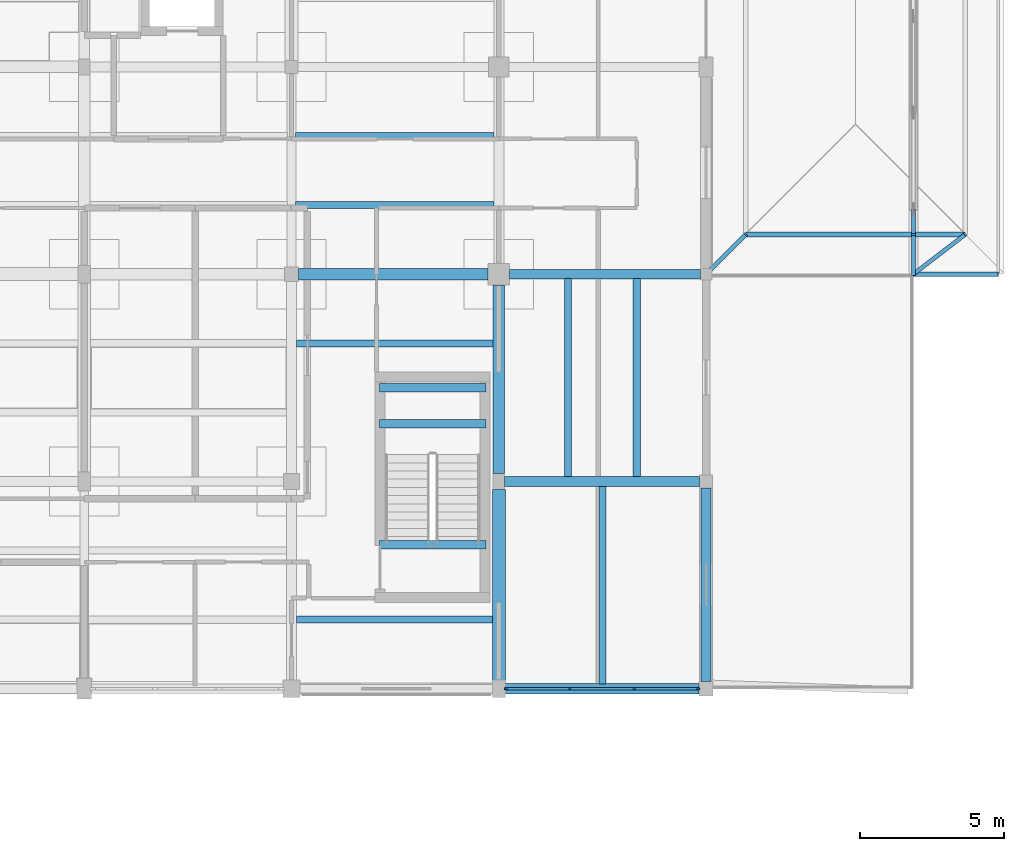
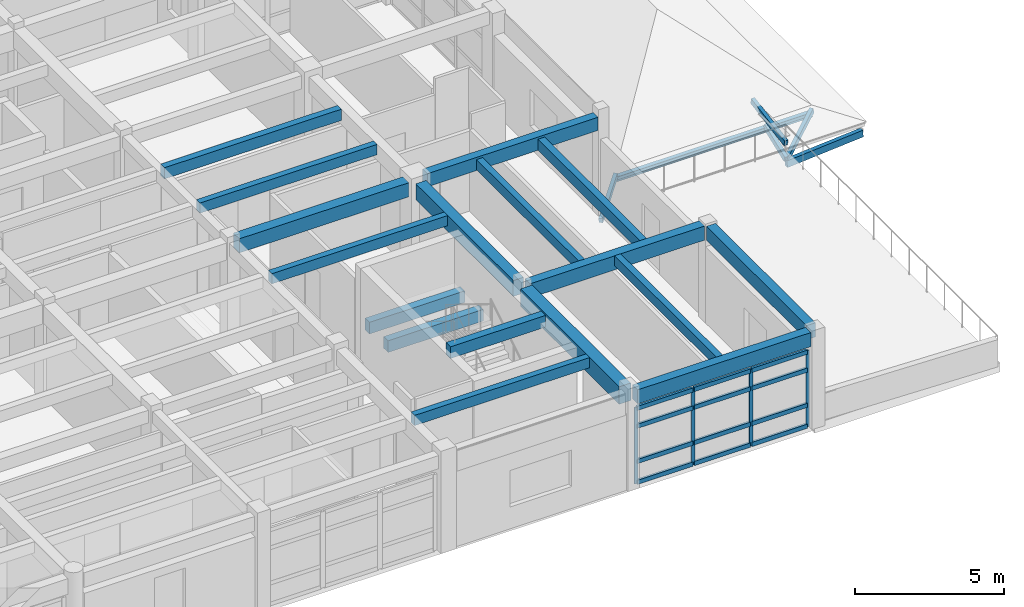
# One storey, part 38 of 100: 23 members, 17 beams, 1 element without a shape of its own.
"""IFC4 building model written with IfcOpenShell, lengths in metres."""

from ifc_helpers import new_model, si_unit, direction, frame, origin, origin_2d, place, context, subcontext, project, spatial, rectangle, i_section, extrude, material, material_profile, profile_set, type_object, element, aggregate, save


model = new_model("IFC4")

# Units and contexts
model_context = context("Model", 3, precision=1e-05, world=origin(), true_north=direction((0.0, 1.0)))
body_context = subcontext(model_context, "Body", "Model", "MODEL_VIEW")
ifc_project = project(units=[si_unit("LENGTHUNIT", "METRE"), si_unit("AREAUNIT", "SQUARE_METRE"), si_unit("VOLUMEUNIT", "CUBIC_METRE"), si_unit("PLANEANGLEUNIT", "RADIAN"), si_unit("MASSUNIT", "GRAM", prefix="KILO")], contexts=[model_context])

# Site, building, storey
site_placement = place(None, origin())
site = spatial("IfcSite", under=ifc_project, at=site_placement, CompositionType="ELEMENT")
building_placement = place(site_placement, origin())
building = spatial("IfcBuilding", under=site, at=building_placement, Name="Steenspoor Specialist Clinic", CompositionType="ELEMENT")
storey_placement = place(building_placement, frame((0.0, 0.0, 9.0)))
storey = spatial("IfcBuildingStorey", under=building, at=storey_placement, Name="L02", CompositionType="ELEMENT", Elevation=9.0)

# Beams
ifc_material_1 = material(Name="Concrete C35/45", Category="concrete")
ifc_material_profile_1 = material_profile(ifc_material_1, rectangle(XDim=0.300048828125, YDim=0.47998046875, at=origin_2d()), Name="RC-BM-300X480")
ifc_profile_set_1 = profile_set([ifc_material_profile_1], Name="Concrete C35/45")
beam_type_1 = type_object("IfcBeamType", Name="BM-RC-300X480", PredefinedType="BEAM", material=ifc_profile_set_1)
for number, where, z_axis, x_axis, name in (
    (1, (142.64990234375, 74.35009765625, 1.659912109375), (1.0, 0.0, 0.0), (0.0, 1.0, 0.0), "Stair Mid-Landing Bearer 1 ST-V6B L02"),
    (2, (142.64990234375, 75.60009765625, 1.659912109375), (1.0, 0.0, 0.0), (0.0, 1.0, 0.0), "Stair Mid-Landing Bearer 2 ST-V6B L02"),
    (3, (142.64990234375, 70.14990234375, 3.9599609375), (1.0, 0.0, 0.0), (0.0, 1.0, 0.0), "Stair Well Trimmer Beam ST-V6B L02"),
):
    element("IfcBeam", number, at=place(storey_placement, frame(where, z_axis=z_axis, x_axis=x_axis)), inside=storey, type_object=beam_type_1, Name=name, PredefinedType="BEAM", context=body_context, shape_type="SweptSolid", body=[
        extrude(rectangle(XDim=0.300048828125, YDim=0.47998046875, at=origin_2d()), origin(), (0.0, 0.0, 1.0), 3.7001953125),
    ])
ifc_material_profile_2 = material_profile(ifc_material_1, rectangle(XDim=0.35009765625, YDim=0.580078125, at=origin_2d()), Name="RC-BM-350X580")
ifc_profile_set_2 = profile_set([ifc_material_profile_2], Name="Concrete C35/45")
beam_type_2 = type_object("IfcBeamType", Name="BM-RC-350X580", PredefinedType="BEAM", material=ifc_profile_set_2)
beam_1_placement = place(storey_placement, frame((147.02001953125, 65.14990234375, 3.659912109375), z_axis=(1.0, 0.0, 0.0), x_axis=(0.0, 1.0, 0.0)))
element("IfcBeam", 4, at=beam_1_placement, inside=storey, type_object=beam_type_2, Name="BM-V6-L02-X1700", PredefinedType="BEAM", context=body_context, shape_type="SweptSolid", body=[
    extrude(rectangle(XDim=0.35009765625, YDim=0.580078125, at=origin_2d()), origin(), (0.0, 0.0, 1.0), 6.73486328125),
])
beam_2_placement = place(storey_placement, frame((146.9951171875, 72.35009765625, 3.659912109375), z_axis=(1.0, 0.0, 0.0), x_axis=(0.0, 1.0, 0.0)))
element("IfcBeam", 5, at=beam_2_placement, inside=storey, type_object=beam_type_2, Name="BM-V6-L02-X1701", PredefinedType="BEAM", context=body_context, shape_type="SweptSolid", body=[
    extrude(rectangle(XDim=0.35009765625, YDim=0.580078125, at=origin_2d()), origin(), (0.0, 0.0, 1.0), 6.784912109375),
])
beam_3_placement = place(storey_placement, frame((154.0, 65.39501953125, 3.659912109375), z_axis=(0.0, 1.0, 0.0), x_axis=(-1.0, 0.0, 0.0)))
element("IfcBeam", 6, at=beam_3_placement, inside=storey, type_object=beam_type_2, Name="BM-V6-L02-Y1702", PredefinedType="BEAM", context=body_context, shape_type="SweptSolid", body=[
    extrude(rectangle(XDim=0.35009765625, YDim=0.580078125, at=origin_2d()), origin(), (0.0, 0.0, 1.0), 6.73486328125),
])
ifc_material_profile_3 = material_profile(ifc_material_1, rectangle(XDim=0.39990234375, YDim=0.580078125, at=origin_2d()), Name="RC-BM-400X580")
ifc_profile_set_3 = profile_set([ifc_material_profile_3], Name="Concrete C35/45")
beam_type_3 = type_object("IfcBeamType", Name="BM-RC-400X580", PredefinedType="BEAM", material=ifc_profile_set_3)
beam_4_placement = place(storey_placement, frame((139.844970703125, 79.550048828125, 3.659912109375), z_axis=(1.0, 0.0, 0.0), x_axis=(0.0, 1.0, 0.0)))
element("IfcBeam", 7, at=beam_4_placement, inside=storey, type_object=beam_type_3, Name="BM-V6-L02-X1611", PredefinedType="BEAM", context=body_context, shape_type="SweptSolid", body=[
    extrude(rectangle(XDim=0.39990234375, YDim=0.580078125, at=origin_2d()), origin(), (0.0, 0.0, 1.0), 6.5849609375),
])
ifc_material_profile_4 = material_profile(ifc_material_1, rectangle(XDim=0.39990234375, YDim=0.64990234375, at=origin_2d()), Name="RC-BM-400X650")
ifc_profile_set_4 = profile_set([ifc_material_profile_4], Name="Concrete C35/45")
beam_type_4 = type_object("IfcBeamType", Name="BM-RC-400X650", PredefinedType="BEAM", material=ifc_profile_set_4)
beam_5_placement = place(storey_placement, frame((146.800048828125, 72.6201171875, 3.625), z_axis=(0.0, 1.0, 0.0), x_axis=(-1.0, 0.0, 0.0)))
element("IfcBeam", 8, at=beam_5_placement, inside=storey, type_object=beam_type_4, Name="BM-V6-L02-Y1652", PredefinedType="BEAM", context=body_context, shape_type="SweptSolid", body=[
    extrude(rectangle(XDim=0.39990234375, YDim=0.64990234375, at=origin_2d()), origin(), (0.0, 0.0, 1.0), 6.559814453125),
])
ifc_material_profile_5 = material_profile(ifc_material_1, rectangle(XDim=0.449951171875, YDim=0.719970703125, at=origin_2d()), Name="RC-BM-450X720")
ifc_profile_set_5 = profile_set([ifc_material_profile_5], Name="Concrete C35/45")
beam_type_5 = type_object("IfcBeamType", Name="BM-RC-450X720", PredefinedType="BEAM", material=ifc_profile_set_5)
beam_6_placement = place(storey_placement, frame((146.800048828125, 65.445068359375, 3.590087890625), z_axis=(0.0, 1.0, 0.0), x_axis=(-1.0, 0.0, 0.0)))
element("IfcBeam", 9, at=beam_6_placement, inside=storey, type_object=beam_type_5, Name="BM-V6-L02-Y1651", PredefinedType="BEAM", context=body_context, shape_type="SweptSolid", body=[
    extrude(rectangle(XDim=0.449951171875, YDim=0.719970703125, at=origin_2d()), origin(), (0.0, 0.0, 1.0), 6.635009765625),
])

# Curtain wall, members
ifc_material_2 = material(Name="Thermally broken aluminium and low-emissivity glass", Category="aluminium")
curtain_wall_type = type_object("IfcCurtainWallType", Name="CW-TYP-240X355", PredefinedType="USERDEFINED", material=ifc_material_2)
curtain_wall_placement = place(storey_placement, origin())
curtain_wall = element("IfcCurtainWall", 10, at=curtain_wall_placement, inside=storey, type_object=curtain_wall_type, Name="Unitised Curtain Wall CW-V6-L02-184", ObjectType="UNITISED GLAZING", PredefinedType="USERDEFINED")
ifc_material_3 = material(Name="Thermally broken aluminium 6063-T6", Category="aluminium")
ifc_material_profile_6 = material_profile(ifc_material_3, rectangle(XDim=0.06005859375, YDim=0.135009765625, at=origin_2d()), Name="CWM-60X135")
ifc_profile_set_6 = profile_set([ifc_material_profile_6], Name="Thermally broken aluminium 6063-T6")
member_type_1 = type_object("IfcMemberType", Name="CW-MULL-60X135", PredefinedType="MULLION", material=ifc_profile_set_6)
member_1_placement = place(storey_placement, frame((153.719970703125, 65.14990234375, 0.0), z_axis=(0.0, 0.0, 1.0), x_axis=(0.0, -1.0, 0.0)))
member_1 = element("IfcMember", 11, at=member_1_placement, type_object=member_type_1, Name="CW-16 mullion 1", PredefinedType="MULLION", context=body_context, shape_type="SweptSolid", body=[
    extrude(rectangle(XDim=0.06005859375, YDim=0.135009765625, at=origin_2d()), origin(), (0.0, 0.0, 1.0), 3.1298828125),
])
member_2_placement = place(storey_placement, frame((151.50830078125, 65.14990234375, 0.0), z_axis=(0.0, 0.0, 1.0), x_axis=(0.0, -1.0, 0.0)))
member_2 = element("IfcMember", 12, at=member_2_placement, type_object=member_type_1, Name="CW-16 mullion 2", PredefinedType="MULLION", context=body_context, shape_type="SweptSolid", body=[
    extrude(rectangle(XDim=0.06005859375, YDim=0.135009765625, at=origin_2d()), origin(), (0.0, 0.0, 1.0), 3.1298828125),
])
member_3_placement = place(storey_placement, frame((149.2666015625, 65.14990234375, 0.0), z_axis=(0.0, 0.0, 1.0), x_axis=(0.0, -1.0, 0.0)))
member_3 = element("IfcMember", 13, at=member_3_placement, type_object=member_type_1, Name="CW-16 mullion 3", PredefinedType="MULLION", context=body_context, shape_type="SweptSolid", body=[
    extrude(rectangle(XDim=0.06005859375, YDim=0.135009765625, at=origin_2d()), origin(), (0.0, 0.0, 1.0), 3.1298828125),
])
member_4_placement = place(storey_placement, frame((147.054931640625, 65.14990234375, 0.0), z_axis=(0.0, 0.0, 1.0), x_axis=(0.0, -1.0, 0.0)))
member_4 = element("IfcMember", 14, at=member_4_placement, type_object=member_type_1, Name="CW-16 mullion 4", PredefinedType="MULLION", context=body_context, shape_type="SweptSolid", body=[
    extrude(rectangle(XDim=0.06005859375, YDim=0.135009765625, at=origin_2d()), origin(), (0.0, 0.0, 1.0), 3.1298828125),
])
ifc_material_profile_7 = material_profile(ifc_material_3, rectangle(XDim=0.090087890625, YDim=0.175048828125, at=origin_2d()), Name="CWT-90X175")
ifc_profile_set_7 = profile_set([ifc_material_profile_7], Name="Thermally broken aluminium 6063-T6")
member_type_2 = type_object("IfcMemberType", Name="CW-TRAN-90X175", PredefinedType="USERDEFINED", material=ifc_profile_set_7)
member_5_placement = place(storey_placement, frame((153.68994140625, 65.14990234375, 0.044921875), z_axis=(-1.0, 0.0, 0.0), x_axis=(0.0, -1.0, 0.0)))
member_5 = element("IfcMember", 15, at=member_5_placement, type_object=member_type_2, Name="CW-16 transom 1.1", ObjectType="TRANSOM", PredefinedType="USERDEFINED", context=body_context, shape_type="SweptSolid", body=[
    extrude(rectangle(XDim=0.090087890625, YDim=0.175048828125, at=origin_2d()), origin(), (0.0, 0.0, 1.0), 2.151611328125),
])
member_6_placement = place(storey_placement, frame((153.68994140625, 65.14990234375, 0.89990234375), z_axis=(-1.0, 0.0, 0.0), x_axis=(0.0, -1.0, 0.0)))
member_6 = element("IfcMember", 16, at=member_6_placement, type_object=member_type_2, Name="CW-16 transom 1.2", ObjectType="TRANSOM", PredefinedType="USERDEFINED", context=body_context, shape_type="SweptSolid", body=[
    extrude(rectangle(XDim=0.090087890625, YDim=0.175048828125, at=origin_2d()), origin(), (0.0, 0.0, 1.0), 2.151611328125),
])
member_7_placement = place(storey_placement, frame((153.68994140625, 65.14990234375, 2.35009765625), z_axis=(-1.0, 0.0, 0.0), x_axis=(0.0, -1.0, 0.0)))
member_7 = element("IfcMember", 17, at=member_7_placement, type_object=member_type_2, Name="CW-16 transom 1.3", ObjectType="TRANSOM", PredefinedType="USERDEFINED", context=body_context, shape_type="SweptSolid", body=[
    extrude(rectangle(XDim=0.090087890625, YDim=0.175048828125, at=origin_2d()), origin(), (0.0, 0.0, 1.0), 2.151611328125),
])
member_8_placement = place(storey_placement, frame((153.68994140625, 65.14990234375, 3.0849609375), z_axis=(-1.0, 0.0, 0.0), x_axis=(0.0, -1.0, 0.0)))
member_8 = element("IfcMember", 18, at=member_8_placement, type_object=member_type_2, Name="CW-16 transom 1.4", ObjectType="TRANSOM", PredefinedType="USERDEFINED", context=body_context, shape_type="SweptSolid", body=[
    extrude(rectangle(XDim=0.090087890625, YDim=0.175048828125, at=origin_2d()), origin(), (0.0, 0.0, 1.0), 2.151611328125),
])
member_9_placement = place(storey_placement, frame((151.478271484375, 65.14990234375, 0.044921875), z_axis=(-1.0, 0.0, 0.0), x_axis=(0.0, -1.0, 0.0)))
member_9 = element("IfcMember", 19, at=member_9_placement, type_object=member_type_2, Name="CW-16 transom 2.1", ObjectType="TRANSOM", PredefinedType="USERDEFINED", context=body_context, shape_type="SweptSolid", body=[
    extrude(rectangle(XDim=0.090087890625, YDim=0.175048828125, at=origin_2d()), origin(), (0.0, 0.0, 1.0), 2.181640625),
])
member_10_placement = place(storey_placement, frame((151.478271484375, 65.14990234375, 0.89990234375), z_axis=(-1.0, 0.0, 0.0), x_axis=(0.0, -1.0, 0.0)))
member_10 = element("IfcMember", 20, at=member_10_placement, type_object=member_type_2, Name="CW-16 transom 2.2", ObjectType="TRANSOM", PredefinedType="USERDEFINED", context=body_context, shape_type="SweptSolid", body=[
    extrude(rectangle(XDim=0.090087890625, YDim=0.175048828125, at=origin_2d()), origin(), (0.0, 0.0, 1.0), 2.181640625),
])
member_11_placement = place(storey_placement, frame((151.478271484375, 65.14990234375, 2.35009765625), z_axis=(-1.0, 0.0, 0.0), x_axis=(0.0, -1.0, 0.0)))
member_11 = element("IfcMember", 21, at=member_11_placement, type_object=member_type_2, Name="CW-16 transom 2.3", ObjectType="TRANSOM", PredefinedType="USERDEFINED", context=body_context, shape_type="SweptSolid", body=[
    extrude(rectangle(XDim=0.090087890625, YDim=0.175048828125, at=origin_2d()), origin(), (0.0, 0.0, 1.0), 2.181640625),
])
member_12_placement = place(storey_placement, frame((151.478271484375, 65.14990234375, 3.0849609375), z_axis=(-1.0, 0.0, 0.0), x_axis=(0.0, -1.0, 0.0)))
member_12 = element("IfcMember", 22, at=member_12_placement, type_object=member_type_2, Name="CW-16 transom 2.4", ObjectType="TRANSOM", PredefinedType="USERDEFINED", context=body_context, shape_type="SweptSolid", body=[
    extrude(rectangle(XDim=0.090087890625, YDim=0.175048828125, at=origin_2d()), origin(), (0.0, 0.0, 1.0), 2.181640625),
])
member_13_placement = place(storey_placement, frame((149.236572265625, 65.14990234375, 0.044921875), z_axis=(-1.0, 0.0, 0.0), x_axis=(0.0, -1.0, 0.0)))
member_13 = element("IfcMember", 23, at=member_13_placement, type_object=member_type_2, Name="CW-16 transom 3.1", ObjectType="TRANSOM", PredefinedType="USERDEFINED", context=body_context, shape_type="SweptSolid", body=[
    extrude(rectangle(XDim=0.090087890625, YDim=0.175048828125, at=origin_2d()), origin(), (0.0, 0.0, 1.0), 2.151611328125),
])
member_14_placement = place(storey_placement, frame((149.236572265625, 65.14990234375, 0.89990234375), z_axis=(-1.0, 0.0, 0.0), x_axis=(0.0, -1.0, 0.0)))
member_14 = element("IfcMember", 24, at=member_14_placement, type_object=member_type_2, Name="CW-16 transom 3.2", ObjectType="TRANSOM", PredefinedType="USERDEFINED", context=body_context, shape_type="SweptSolid", body=[
    extrude(rectangle(XDim=0.090087890625, YDim=0.175048828125, at=origin_2d()), origin(), (0.0, 0.0, 1.0), 2.151611328125),
])
member_15_placement = place(storey_placement, frame((149.236572265625, 65.14990234375, 2.35009765625), z_axis=(-1.0, 0.0, 0.0), x_axis=(0.0, -1.0, 0.0)))
member_15 = element("IfcMember", 25, at=member_15_placement, type_object=member_type_2, Name="CW-16 transom 3.3", ObjectType="TRANSOM", PredefinedType="USERDEFINED", context=body_context, shape_type="SweptSolid", body=[
    extrude(rectangle(XDim=0.090087890625, YDim=0.175048828125, at=origin_2d()), origin(), (0.0, 0.0, 1.0), 2.151611328125),
])
member_16_placement = place(storey_placement, frame((149.236572265625, 65.14990234375, 3.0849609375), z_axis=(-1.0, 0.0, 0.0), x_axis=(0.0, -1.0, 0.0)))
member_16 = element("IfcMember", 26, at=member_16_placement, type_object=member_type_2, Name="CW-16 transom 3.4", ObjectType="TRANSOM", PredefinedType="USERDEFINED", context=body_context, shape_type="SweptSolid", body=[
    extrude(rectangle(XDim=0.090087890625, YDim=0.175048828125, at=origin_2d()), origin(), (0.0, 0.0, 1.0), 2.151611328125),
])
aggregate(curtain_wall, [member_1, member_2, member_3, member_4, member_5, member_6, member_7, member_8, member_9, member_10, member_11, member_12, member_13, member_14, member_15, member_16])

# Beams
ifc_material_profile_8 = material_profile(ifc_material_1, rectangle(XDim=0.239990234375, YDim=0.419921875, at=origin_2d()), Name="RC-JT-240X420")
ifc_profile_set_8 = profile_set([ifc_material_profile_8], Name="Concrete C35/45")
beam_type_6 = type_object("IfcBeamType", Name="JT-RC-240X420", PredefinedType="JOIST", material=ifc_profile_set_8)
beam_7_placement = place(storey_placement, frame((139.77001953125, 67.550048828125, 3.739990234375), z_axis=(1.0, 0.0, 0.0), x_axis=(0.0, 1.0, 0.0)))
element("IfcBeam", 27, at=beam_7_placement, inside=storey, type_object=beam_type_6, Name="JT-V6-L02-1690", PredefinedType="JOIST", context=body_context, shape_type="SweptSolid", body=[
    extrude(rectangle(XDim=0.239990234375, YDim=0.419921875, at=origin_2d()), origin(), (0.0, 0.0, 1.0), 6.81005859375),
])
beam_8_placement = place(storey_placement, frame((139.77001953125, 77.14990234375, 3.739990234375), z_axis=(1.0, 0.0, 0.0), x_axis=(0.0, 1.0, 0.0)))
element("IfcBeam", 28, at=beam_8_placement, inside=storey, type_object=beam_type_6, Name="JT-V6-L02-1691", PredefinedType="JOIST", context=body_context, shape_type="SweptSolid", body=[
    extrude(rectangle(XDim=0.239990234375, YDim=0.419921875, at=origin_2d()), origin(), (0.0, 0.0, 1.0), 6.8349609375),
])
beam_9_placement = place(storey_placement, frame((139.7451171875, 81.949951171875, 3.739990234375), z_axis=(1.0, 0.0, 0.0), x_axis=(0.0, 1.0, 0.0)))
element("IfcBeam", 29, at=beam_9_placement, inside=storey, type_object=beam_type_6, Name="JT-V6-L02-1692", PredefinedType="JOIST", context=body_context, shape_type="SweptSolid", body=[
    extrude(rectangle(XDim=0.239990234375, YDim=0.419921875, at=origin_2d()), origin(), (0.0, 0.0, 1.0), 6.884765625),
])
beam_10_placement = place(storey_placement, frame((150.39990234375, 65.320068359375, 3.739990234375), z_axis=(0.0, 1.0, 0.0), x_axis=(-1.0, 0.0, 0.0)))
element("IfcBeam", 30, at=beam_10_placement, inside=storey, type_object=beam_type_6, Name="JT-V6-L02-1703", PredefinedType="JOIST", context=body_context, shape_type="SweptSolid", body=[
    extrude(rectangle(XDim=0.239990234375, YDim=0.419921875, at=origin_2d()), origin(), (0.0, 0.0, 1.0), 6.85986328125),
])
beam_11_placement = place(storey_placement, frame((149.199951171875, 72.52001953125, 3.739990234375), z_axis=(0.0, 1.0, 0.0), x_axis=(-1.0, 0.0, 0.0)))
element("IfcBeam", 31, at=beam_11_placement, inside=storey, type_object=beam_type_6, Name="JT-V6-L02-1704", PredefinedType="JOIST", context=body_context, shape_type="SweptSolid", body=[
    extrude(rectangle(XDim=0.239990234375, YDim=0.419921875, at=origin_2d()), origin(), (0.0, 0.0, 1.0), 6.875),
])
ifc_material_profile_9 = material_profile(ifc_material_1, rectangle(XDim=0.260009765625, YDim=0.4599609375, at=origin_2d()), Name="RC-JT-260X460")
ifc_profile_set_9 = profile_set([ifc_material_profile_9], Name="Concrete C35/45")
beam_type_7 = type_object("IfcBeamType", Name="JT-RC-260X460", PredefinedType="JOIST", material=ifc_profile_set_9)
beam_12_placement = place(storey_placement, frame((139.7451171875, 84.35009765625, 3.719970703125), z_axis=(1.0, 0.0, 0.0), x_axis=(0.0, 1.0, 0.0)))
element("IfcBeam", 32, at=beam_12_placement, inside=storey, type_object=beam_type_7, Name="JT-V6-L02-1693", PredefinedType="JOIST", context=body_context, shape_type="SweptSolid", body=[
    extrude(rectangle(XDim=0.260009765625, YDim=0.4599609375, at=origin_2d()), origin(), (0.0, 0.0, 1.0), 6.884765625),
])
beam_13_placement = place(storey_placement, frame((151.60009765625, 72.52001953125, 3.719970703125), z_axis=(0.0, 1.0, 0.0), x_axis=(-1.0, 0.0, 0.0)))
element("IfcBeam", 33, at=beam_13_placement, inside=storey, type_object=beam_type_7, Name="JT-V6-L02-1705", PredefinedType="JOIST", context=body_context, shape_type="SweptSolid", body=[
    extrude(rectangle(XDim=0.260009765625, YDim=0.4599609375, at=origin_2d()), origin(), (0.0, 0.0, 1.0), 6.875),
])

# Members
ifc_material_4 = material(Name="Steel A992 Grade 50", Category="steel")
ifc_material_profile_10 = material_profile(ifc_material_4, i_section(OverallWidth=0.1650390625, OverallDepth=0.200927734375, WebThickness=0.006103515625, FlangeThickness=0.01025390625, at=origin_2d()), Name="W200X36")
ifc_profile_set_10 = profile_set([ifc_material_profile_10], Name="Steel A992 Grade 50")
member_type_3 = type_object("IfcMemberType", Name="MEM-PURLIN-W200", PredefinedType="PURLIN", material=ifc_profile_set_10)
member_17_placement = place(storey_placement, frame((155.3798828125, 80.929931640625, 0.043212890625), z_axis=(1.0, 0.0, 0.0), x_axis=(0.0, 1.0, 0.0)))
element("IfcMember", 34, at=member_17_placement, inside=storey, type_object=member_type_3, Name="ROOF TRUSS Knuckle Purlin 472", PredefinedType="PURLIN", context=body_context, shape_type="SweptSolid", body=[
    extrude(i_section(OverallWidth=0.1650390625, OverallDepth=0.200927734375, WebThickness=0.006103515625, FlangeThickness=0.01025390625, at=origin_2d()), origin(), (0.0, 0.0, 1.0), 5.820068359375),
])
member_18_placement = place(storey_placement, frame((161.199951171875, 80.929931640625, 0.043212890625), z_axis=(1.0, 0.0, 0.0), x_axis=(0.0, 1.0, 0.0)))
element("IfcMember", 35, at=member_18_placement, inside=storey, type_object=member_type_3, Name="ROOF TRUSS Knuckle Purlin 474", PredefinedType="PURLIN", context=body_context, shape_type="SweptSolid", body=[
    extrude(i_section(OverallWidth=0.1650390625, OverallDepth=0.200927734375, WebThickness=0.006103515625, FlangeThickness=0.01025390625, at=origin_2d()), origin(), (0.0, 0.0, 1.0), 1.800048828125),
])
ifc_material_5 = material(Name="Glulam GL28h", Category="wood")
ifc_material_profile_11 = material_profile(ifc_material_5, rectangle(XDim=0.139892578125, YDim=0.219970703125, at=origin_2d()), Name="GL28H-140X220")
ifc_profile_set_11 = profile_set([ifc_material_profile_11], Name="Glulam GL28h")
member_type_4 = type_object("IfcMemberType", Name="MEM-RAFTER-GL220", PredefinedType="RAFTER", material=ifc_profile_set_11)
member_19_placement = place(storey_placement, frame((161.199951171875, 79.550048828125, -0.35693359375), z_axis=(0.0, 0.932727507584, 0.360582024783), x_axis=(-1.0, 0.0, 0.0)))
element("IfcMember", 36, at=member_19_placement, inside=storey, type_object=member_type_4, Name="ROOF TRUSS Knuckle Rafter V6T1 310", PredefinedType="RAFTER", context=body_context, shape_type="SweptSolid", body=[
    extrude(rectangle(XDim=0.139892578125, YDim=0.219970703125, at=origin_2d()), origin(), (0.0, 0.0, 1.0), 1.4794921875),
])
member_20_placement = place(storey_placement, frame((154.0, 79.550048828125, -0.376953125), z_axis=(0.680275450765, 0.680275450765, 0.272856413107), x_axis=(-0.707106781187, 0.707106781187, 0.0)))
element("IfcMember", 37, at=member_20_placement, inside=storey, type_object=member_type_4, Name="ROOF TRUSS Corner Knuckle Rafter V6T1 317", PredefinedType="RAFTER", context=body_context, shape_type="SweptSolid", body=[
    extrude(rectangle(XDim=0.139892578125, YDim=0.219970703125, at=origin_2d()), origin(), (0.0, 0.0, 1.0), 2.0283203125),
])
member_21_placement = place(storey_placement, frame((161.199951171875, 79.550048828125, -0.410400390625), z_axis=(0.768331659517, 0.588988273374, 0.25051801295), x_axis=(-0.60838860677, 0.793639277728, 0.0)))
element("IfcMember", 38, at=member_21_placement, inside=storey, type_object=member_type_4, Name="ROOF TRUSS Corner Knuckle Rafter V6T1 319", PredefinedType="RAFTER", context=body_context, shape_type="SweptSolid", body=[
    extrude(rectangle(XDim=0.139892578125, YDim=0.219970703125, at=origin_2d()), origin(), (0.0, 0.0, 1.0), 2.3427734375),
])
member_22_placement = place(storey_placement, frame((161.199951171875, 79.550048828125, 0.29150390625), z_axis=(0.0, 0.985780105288, 0.168040423764), x_axis=(-1.0, 0.0, 0.0)))
element("IfcMember", 39, at=member_22_placement, inside=storey, type_object=member_type_4, Name="ROOF TRUSS Heel Strut V6T1 S 2", PredefinedType="RAFTER", context=body_context, shape_type="SweptSolid", body=[
    extrude(rectangle(XDim=0.139892578125, YDim=0.219970703125, at=origin_2d()), origin(), (0.0, 0.0, 1.0), 2.282470703125),
])
ifc_material_profile_12 = material_profile(ifc_material_5, rectangle(XDim=0.159912109375, YDim=0.280029296875, at=origin_2d()), Name="GL28H-160X280")
ifc_profile_set_12 = profile_set([ifc_material_profile_12], Name="Glulam GL28h")
member_type_5 = type_object("IfcMemberType", Name="MEM-RAFTER-GL280", PredefinedType="RAFTER", material=ifc_profile_set_12)
member_23_placement = place(storey_placement, frame((161.199951171875, 79.550048828125, -0.5400390625), z_axis=(0.996897637595, 0.0, 0.078708958559), x_axis=(0.0, 1.0, 0.0)))
element("IfcMember", 40, at=member_23_placement, inside=storey, type_object=member_type_5, Name="ROOF TRUSS Flared Eave Glulam Outrigger V6T1 314", PredefinedType="RAFTER", context=body_context, shape_type="SweptSolid", body=[
    extrude(rectangle(XDim=0.159912109375, YDim=0.280029296875, at=origin_2d()), origin(), (0.0, 0.0, 1.0), 2.959228515625),
])

# Beam
ifc_material_profile_13 = material_profile(ifc_material_1, rectangle(XDim=0.320068359375, YDim=0.5400390625, at=origin_2d()), Name="RC-SP-320X540")
ifc_profile_set_13 = profile_set([ifc_material_profile_13], Name="Concrete C35/45")
beam_type_8 = type_object("IfcBeamType", Name="SP-RC-320X540", PredefinedType="SPANDREL", material=ifc_profile_set_13)
beam_14_placement = place(storey_placement, frame((147.169921875, 79.550048828125, 3.764892578125), z_axis=(1.0, 0.0, 0.0), x_axis=(0.0, 1.0, 0.0)))
element("IfcBeam", 41, at=beam_14_placement, inside=storey, type_object=beam_type_8, Name="BMTIER-V6-L02-X04-02", PredefinedType="SPANDREL", context=body_context, shape_type="SweptSolid", body=[
    extrude(rectangle(XDim=0.320068359375, YDim=0.5400390625, at=origin_2d()), origin(), (0.0, 0.0, 1.0), 6.635009765625),
])

save(model, "model.ifc")
